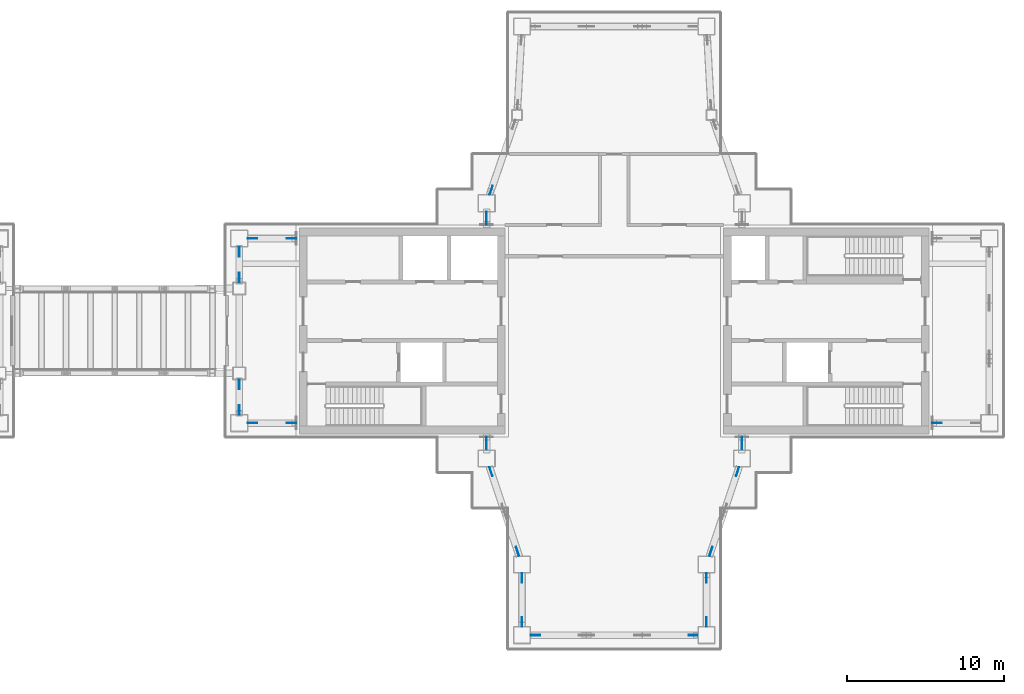
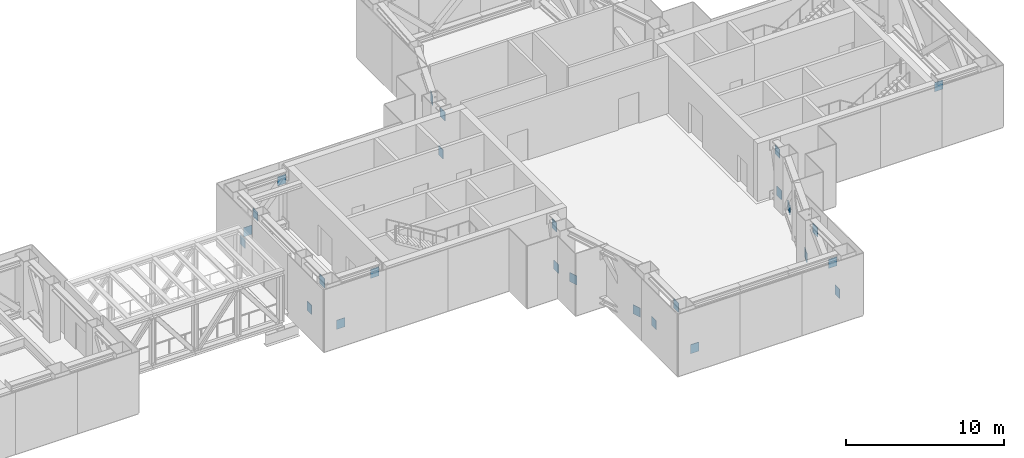
# One storey, part 18 of 21: 26 discrete accessories.
"""IFC4 building model written with IfcOpenShell, lengths in metres."""

from ifc_helpers import new_model, si_unit, direction, frame, origin, origin_2d, place, context, subcontext, project, spatial, rectangle, extrude, material, layer, layer_set, type_object, element, save


model = new_model("IFC4")

# Units and contexts
model_context = context("Model", 3, precision=1e-05, world=origin(), true_north=direction((0.0, 1.0)))
body_context = subcontext(model_context, "Body", "Model", "MODEL_VIEW")
ifc_project = project(units=[si_unit("LENGTHUNIT", "METRE"), si_unit("AREAUNIT", "SQUARE_METRE"), si_unit("VOLUMEUNIT", "CUBIC_METRE"), si_unit("PLANEANGLEUNIT", "RADIAN"), si_unit("MASSUNIT", "GRAM", prefix="KILO")], contexts=[model_context])

# Site, building, storey
site_placement = place(None, origin())
site = spatial("IfcSite", under=ifc_project, at=site_placement, CompositionType="ELEMENT")
building_placement = place(site_placement, origin())
building = spatial("IfcBuilding", under=site, at=building_placement, Name="Shamsa Quay Exchange Towers", CompositionType="ELEMENT")
storey_placement = place(building_placement, frame((0.0, 0.0, 177.89990234375)))
storey = spatial("IfcBuildingStorey", under=building, at=storey_placement, Name="L42", CompositionType="ELEMENT", Elevation=177.89990234375)

# Discrete accessories
ifc_material = material(Name="Steel S355", Category="steel")
ifc_layer = layer(ifc_material, 0.0400390625)
ifc_layer_set = layer_set([ifc_layer], Name="End plate 600x700x40")
discrete_accessory_type = type_object("IfcDiscreteAccessoryType", Name="End plate 600x700x40", PredefinedType="BRACKET", material=ifc_layer_set)
for number, where, name in (
    (1, (10.72509765625, -5.875, 0.34814453125), "End plate T2 L42"),
    (2, (13.199951171875, -5.875, 3.40234375), "End plate T2 L42"),
):
    element("IfcDiscreteAccessory", number, at=place(storey_placement, frame(where)), inside=storey, type_object=discrete_accessory_type, Name=name, PredefinedType="BRACKET", context=body_context, shape_type="SweptSolid", body=[
        extrude(rectangle(XDim=0.60009765625, YDim=0.0400390625, at=origin_2d()), origin(), (0.0, 0.0, 1.0), 0.699951171875),
    ])
for number, where, z_axis, x_axis, name in (
    (3, (25.625, -7.27490234375, 0.34814453125), (0.0, 0.0, 1.0), (0.0, 1.0, 0.0), "End plate T2 L42"),
    (4, (25.625, -7.050048828125, 3.40234375), (0.0, 0.0, 1.0), (0.0, 1.0, 0.0), "End plate T2 L42"),
    (5, (25.9033203125, -8.959716796875, 0.34814453125), (0.0, 0.0, 1.0), (0.316227766018, -0.94868329805, 0.0), "End plate T2 L42"),
    (6, (27.5966796875, -14.040283203125, 0.34814453125), (0.0, 0.0, 1.0), (0.316227766018, -0.94868329805, 0.0), "End plate T2 L42"),
    (7, (27.875, -15.72509765625, 0.34814453125), (0.0, 0.0, 1.0), (0.0, -1.0, 0.0), "End plate T2 L42"),
    (8, (27.875, -18.52490234375, 3.40234375), (0.0, 0.0, 1.0), (0.0, -1.0, 0.0), "End plate T2 L42"),
):
    element("IfcDiscreteAccessory", number, at=place(storey_placement, frame(where, z_axis=z_axis, x_axis=x_axis)), inside=storey, type_object=discrete_accessory_type, Name=name, PredefinedType="BRACKET", context=body_context, shape_type="SweptSolid", body=[
        extrude(rectangle(XDim=0.60009765625, YDim=0.0400390625, at=origin_2d()), origin(), (0.0, 0.0, 1.0), 0.699951171875),
    ])
for number, where, name in (
    (9, (28.72509765625, -19.375, 0.34814453125), "End plate T2 L42"),
    (10, (38.77490234375, -19.375, 3.40234375), "End plate T2 L42"),
):
    element("IfcDiscreteAccessory", number, at=place(storey_placement, frame(where)), inside=storey, type_object=discrete_accessory_type, Name=name, PredefinedType="BRACKET", context=body_context, shape_type="SweptSolid", body=[
        extrude(rectangle(XDim=0.60009765625, YDim=0.0400390625, at=origin_2d()), origin(), (0.0, 0.0, 1.0), 0.699951171875),
    ])
for number, where, z_axis, x_axis, name in (
    (11, (39.625, -18.52490234375, 0.34814453125), (0.0, 0.0, 1.0), (0.0, 1.0, 0.0), "End plate T2 L42"),
    (12, (39.625, -15.72509765625, 3.40234375), (0.0, 0.0, 1.0), (0.0, 1.0, 0.0), "End plate T2 L42"),
    (13, (39.9033203125, -14.040283203125, 0.34814453125), (0.0, 0.0, 1.0), (0.316227766018, 0.94868329805, 0.0), "End plate T2 L42"),
    (14, (41.5966796875, -8.959716796875, 0.34814453125), (0.0, 0.0, 1.0), (0.316227766018, 0.94868329805, 0.0), "End plate T2 L42"),
    (15, (41.875, -7.27490234375, 0.34814453125), (0.0, 0.0, 1.0), (0.0, 1.0, 0.0), "End plate T2 L42"),
    (16, (41.875, -7.050048828125, 3.40234375), (0.0, 0.0, 1.0), (0.0, 1.0, 0.0), "End plate T2 L42"),
    (17, (54.300048828125, -5.875, 3.40234375), (0.0, 0.0, 1.0), (-1.0, 0.0, 0.0), "End plate T2 L42"),
    (18, (25.912109375, 8.958740234375, 3.40234375), (0.0, 0.0, 1.0), (-0.325666906351, -0.945484566827, 0.0), "End plate T2 L42"),
    (19, (25.625, 7.27490234375, 0.34814453125), (0.0, 0.0, 1.0), (0.0, -1.0, 0.0), "End plate T2 L42"),
    (20, (25.625, 7.050048828125, 3.40234375), (0.0, 0.0, 1.0), (0.0, -1.0, 0.0), "End plate T2 L42"),
):
    element("IfcDiscreteAccessory", number, at=place(storey_placement, frame(where, z_axis=z_axis, x_axis=x_axis)), inside=storey, type_object=discrete_accessory_type, Name=name, PredefinedType="BRACKET", context=body_context, shape_type="SweptSolid", body=[
        extrude(rectangle(XDim=0.60009765625, YDim=0.0400390625, at=origin_2d()), origin(), (0.0, 0.0, 1.0), 0.699951171875),
    ])
for number, where, name in (
    (21, (10.72509765625, 5.875, 0.34814453125), "End plate T2 L42"),
    (22, (13.199951171875, 5.875, 3.40234375), "End plate T2 L42"),
):
    element("IfcDiscreteAccessory", number, at=place(storey_placement, frame(where)), inside=storey, type_object=discrete_accessory_type, Name=name, PredefinedType="BRACKET", context=body_context, shape_type="SweptSolid", body=[
        extrude(rectangle(XDim=0.60009765625, YDim=0.0400390625, at=origin_2d()), origin(), (0.0, 0.0, 1.0), 0.699951171875),
    ])
for number, where, z_axis, x_axis, name in (
    (23, (9.875, 5.02490234375, 0.34814453125), (0.0, 0.0, 1.0), (0.0, -1.0, 0.0), "End plate T2 L42"),
    (24, (9.875, 3.39990234375, 3.40234375), (0.0, 0.0, 1.0), (0.0, -1.0, 0.0), "End plate T2 L42"),
    (25, (9.875, -3.39990234375, 0.34814453125), (0.0, 0.0, 1.0), (0.0, -1.0, 0.0), "End plate T2 L42"),
    (26, (9.875, -5.02490234375, 3.40234375), (0.0, 0.0, 1.0), (0.0, -1.0, 0.0), "End plate T2 L42"),
):
    element("IfcDiscreteAccessory", number, at=place(storey_placement, frame(where, z_axis=z_axis, x_axis=x_axis)), inside=storey, type_object=discrete_accessory_type, Name=name, PredefinedType="BRACKET", context=body_context, shape_type="SweptSolid", body=[
        extrude(rectangle(XDim=0.60009765625, YDim=0.0400390625, at=origin_2d()), origin(), (0.0, 0.0, 1.0), 0.699951171875),
    ])

save(model, "model.ifc")
